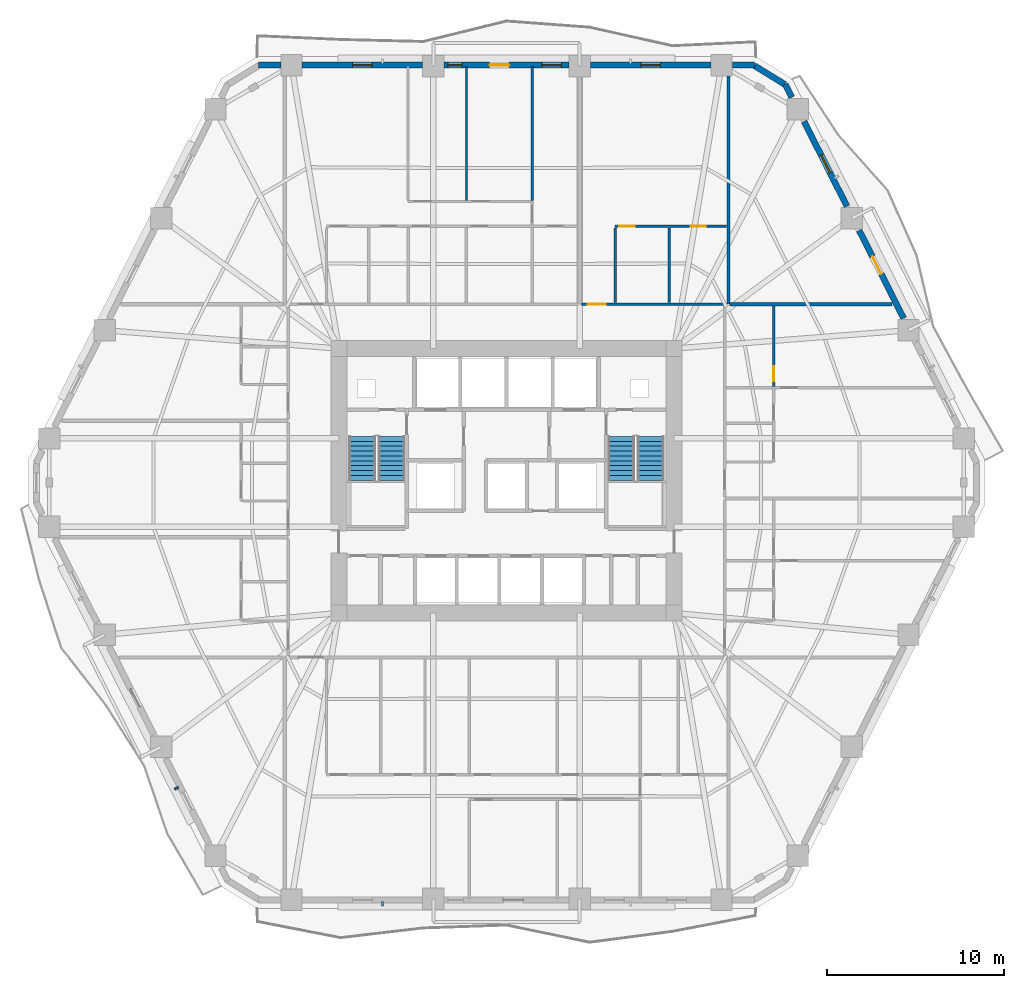
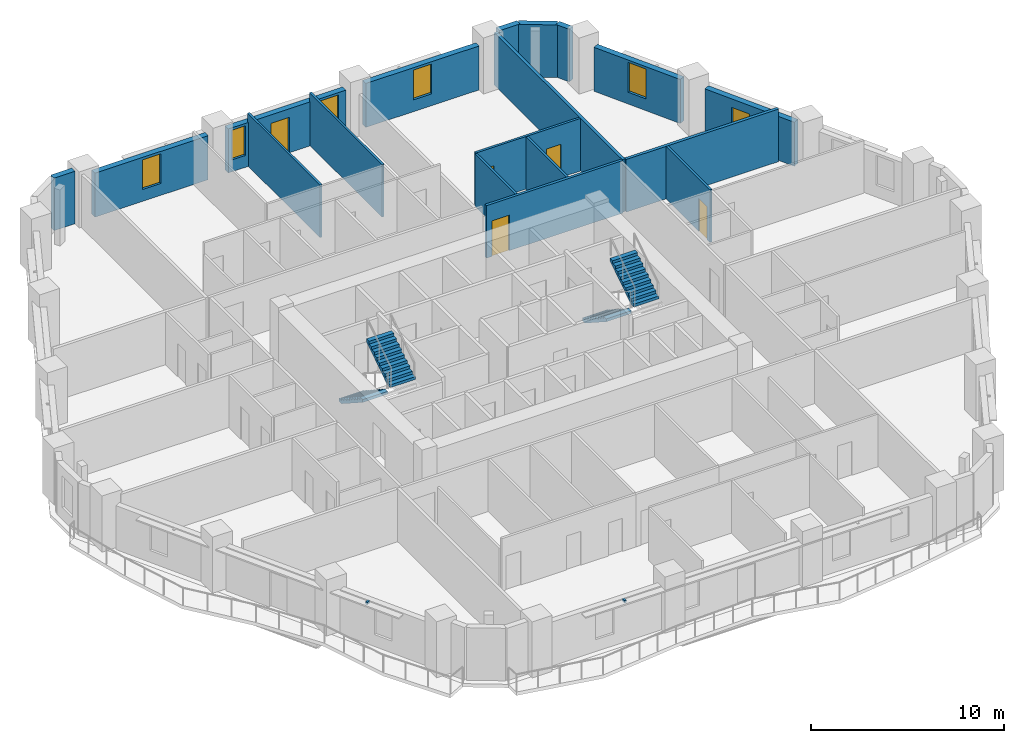
# One storey, part 8 of 14: 18 walls, 6 doors, 5 windows, 4 stair flights, 2 discrete accessories, 11 openings, 2 elements without a shape of their own.
"""IFC4 building model written with IfcOpenShell, lengths in metres."""

from ifc_helpers import new_model, si_unit, direction, frame, frame_2d, origin, origin_2d, place, context, subcontext, project, spatial, polyline, rectangle, outline, extrude, material, layer, layer_set, type_object, element, fill, aggregate, save


model = new_model("IFC4")

# Units and contexts
model_context = context("Model", 3, precision=1e-05, world=origin(), true_north=direction((0.0, 1.0)))
body_context = subcontext(model_context, "Body", "Model", "MODEL_VIEW")
ifc_project = project(units=[si_unit("LENGTHUNIT", "METRE"), si_unit("AREAUNIT", "SQUARE_METRE"), si_unit("VOLUMEUNIT", "CUBIC_METRE"), si_unit("PLANEANGLEUNIT", "RADIAN"), si_unit("MASSUNIT", "GRAM", prefix="KILO")], contexts=[model_context])

# Site, building, storey
site_placement = place(None, origin())
site = spatial("IfcSite", under=ifc_project, at=site_placement, CompositionType="ELEMENT")
building_placement = place(site_placement, origin())
building = spatial("IfcBuilding", under=site, at=building_placement, Name="Cinnabar Lancet Tower", CompositionType="ELEMENT")
storey_placement = place(building_placement, frame((0.0, 0.0, 67.5)))
storey = spatial("IfcBuildingStorey", under=building, at=storey_placement, Name="L17", CompositionType="ELEMENT", Elevation=67.5)

# Wall, opening, door
ifc_material_1 = material(Name="Acoustic twin-stud gypsum partition", Category="gypsum")
ifc_layer_1 = layer(ifc_material_1, 0.159912109375)
ifc_layer_set_1 = layer_set([ifc_layer_1], Name="Acoustic twin-stud gypsum partition")
wall_type_1 = type_object("IfcWallType", Name="ARC-WL-CORR-160", PredefinedType="PARTITIONING", material=ifc_layer_set_1)
wall_1_placement = place(storey_placement, frame((36.616943359375, 35.85009765625, 0.0), z_axis=(0.0, 0.0, 1.0), x_axis=(1.0, 0.0, 0.0)))
wall_1 = element("IfcWall", 1, at=wall_1_placement, inside=storey, type_object=wall_type_1, Name="L17 Unit N02 Corridor Wall", PredefinedType="PARTITIONING", context=body_context, shape_type="SweptSolid", body=[
    extrude(rectangle(XDim=8.18798828125, YDim=0.159912109375, at=frame_2d((4.093994140625, 0.0))), origin(), (0.0, 0.0, 1.0), 3.330078125),
])
opening_1_placement = place(wall_1_placement, frame((0.35498046875, 0.0, 0.0)))
opening_1 = element("IfcOpeningElement", 2, at=opening_1_placement, cuts=wall_1, Name="Opening UD-01", PredefinedType="OPENING", context=body_context, shape_type="SweptSolid", body=[
    extrude(rectangle(XDim=1.02001953125, YDim=2.25, at=frame_2d((0.510009765625, 1.125))), frame((0.0, 0.08984375, 0.0), z_axis=(0.0, -1.0, 0.0), x_axis=(1.0, 0.0, 0.0)), (0.0, 0.0, 1.0), 0.179931640625),
])
ifc_material_2 = material(Name="Solid timber fire-rated apartment entrance door", Category="wood")
door_type_1 = type_object("IfcDoorType", Name="ARC-DR-UNIT", OperationType="NOTDEFINED", PredefinedType="DOOR", material=ifc_material_2)
door_1_placement = place(opening_1_placement, origin())
door_1 = element("IfcDoor", 3, at=door_1_placement, inside=storey, type_object=door_type_1, Name="DR-L17-N02-ENT", OperationType="SINGLE_SWING_LEFT", OverallHeight=2.25, OverallWidth=1.02001953125, PredefinedType="DOOR", context=body_context, shape_type="SweptSolid", body=[
    extrude(rectangle(XDim=1.02001953125, YDim=2.25, at=frame_2d((0.510009765625, 1.125))), frame((0.0, 0.02490234375, 0.0), z_axis=(0.0, -1.0, 0.0), x_axis=(1.0, 0.0, 0.0)), (0.0, 0.0, 1.0), 0.050048828125),
])
fill(opening_1, door_1)

# Walls
ifc_material_3 = material(Name="Fire-rated twin-frame acoustic drywall", Category="gypsum")
ifc_layer_2 = layer(ifc_material_3, 0.179931640625)
ifc_layer_set_2 = layer_set([ifc_layer_2], Name="Fire-rated twin-frame acoustic drywall")
wall_type_2 = type_object("IfcWallType", Name="ARC-WL-PARTY-180", PredefinedType="PARTITIONING", material=ifc_layer_set_2)
wall_2_placement = place(storey_placement, frame((44.89990234375, 35.85009765625, 0.0), z_axis=(0.0, 0.0, 1.0), x_axis=(0.0, 1.0, 0.0)))
element("IfcWall", 4, at=wall_2_placement, inside=storey, type_object=wall_type_2, Name="PW-L17-NPTY-449", PredefinedType="PARTITIONING", context=body_context, shape_type="SweptSolid", body=[
    extrude(rectangle(XDim=13.294921875, YDim=0.179931640625, at=frame_2d((6.6474609375, 0.0))), origin(), (0.0, 0.0, 1.0), 3.330078125),
])
wall_3_placement = place(storey_placement, frame((44.9951171875, 35.85009765625, 0.0), z_axis=(0.0, 0.0, 1.0), x_axis=(1.0, 0.0, 0.0)))
element("IfcWall", 5, at=wall_3_placement, inside=storey, type_object=wall_type_2, Name="PW-L17-ENB", PredefinedType="PARTITIONING", context=body_context, shape_type="SweptSolid", body=[
    extrude(rectangle(XDim=9.139892578125, YDim=0.179931640625, at=frame_2d((4.56982421875, 0.0))), origin(), (0.0, 0.0, 1.0), 3.330078125),
])
ifc_material_4 = material(Name="Gypsum plasterboard stud partition", Category="gypsum")
ifc_layer_3 = layer(ifc_material_4, 0.125)
ifc_layer_set_3 = layer_set([ifc_layer_3], Name="Gypsum plasterboard stud partition")
wall_type_3 = type_object("IfcWallType", Name="ARC-WL-UNIT-125", PredefinedType="PARTITIONING", material=ifc_layer_set_3)
for number, where, z_axis, x_axis, name in (
    (6, (30.137939453125, 41.701904296875, 0.0), (0.0, 0.0, 1.0), (0.0, 1.0, 0.0), "UW-L17-N01-MB2W"),
    (7, (33.85009765625, 41.701904296875, 0.0), (0.0, 0.0, 1.0), (0.0, 1.0, 0.0), "UW-L17-N01-B23W"),
):
    element("IfcWall", number, at=place(storey_placement, frame(where, z_axis=z_axis, x_axis=x_axis)), inside=storey, type_object=wall_type_3, Name=name, PredefinedType="PARTITIONING", context=body_context, shape_type="SweptSolid", body=[
        extrude(rectangle(XDim=7.533203125, YDim=0.125, at=frame_2d((3.7666015625, 0.0))), origin(), (0.0, 0.0, 1.0), 3.330078125),
    ])
wall_4_placement = place(storey_placement, frame((38.52197265625, 35.93505859375, 0.0), z_axis=(0.0, 0.0, 1.0), x_axis=(0.0, 1.0, 0.0)))
element("IfcWall", 8, at=wall_4_placement, inside=storey, type_object=wall_type_3, Name="UW-L17-N02-FOYE", PredefinedType="PARTITIONING", context=body_context, shape_type="SweptSolid", body=[
    extrude(rectangle(XDim=4.197021484375, YDim=0.125, at=frame_2d((2.0986328125, 0.0))), origin(), (0.0, 0.0, 1.0), 3.330078125),
])

# Wall, openings, doors
ifc_material_5 = material(Name="Moisture-resistant cement-board plumbing wall", Category="masonry")
ifc_layer_4 = layer(ifc_material_5, 0.139892578125)
ifc_layer_set_4 = layer_set([ifc_layer_4], Name="Moisture-resistant cement-board plumbing wall")
wall_type_4 = type_object("IfcWallType", Name="ARC-WL-WET-140", PredefinedType="PLUMBINGWALL", material=ifc_layer_set_4)
wall_5_placement = place(storey_placement, frame((38.52197265625, 40.237060546875, 0.0), z_axis=(0.0, 0.0, 1.0), x_axis=(1.0, 0.0, 0.0)))
wall_5 = element("IfcWall", 9, at=wall_5_placement, inside=storey, type_object=wall_type_4, Name="UW-L17-N02-SPL", PredefinedType="PLUMBINGWALL", context=body_context, shape_type="SweptSolid", body=[
    extrude(rectangle(XDim=6.282958984375, YDim=0.139892578125, at=frame_2d((3.1416015625, 0.0))), origin(), (0.0, 0.0, 1.0), 3.330078125),
])
opening_2_placement = place(wall_5_placement, frame((4.2470703125, 0.0, 0.0)))
opening_2 = element("IfcOpeningElement", 10, at=opening_2_placement, cuts=wall_5, Name="Opening BD-01", PredefinedType="OPENING", context=body_context, shape_type="SweptSolid", body=[
    extrude(rectangle(XDim=0.860107421875, YDim=2.10009765625, at=frame_2d((0.43017578125, 1.050048828125))), frame((0.0, 0.079833984375, 0.0), z_axis=(0.0, -1.0, 0.0), x_axis=(1.0, 0.0, 0.0)), (0.0, 0.0, 1.0), 0.159912109375),
])
opening_3_placement = place(wall_5_placement, frame((0.219970703125, 0.0, 0.0)))
opening_3 = element("IfcOpeningElement", 11, at=opening_3_placement, cuts=wall_5, Name="Opening RD-02", PredefinedType="OPENING", context=body_context, shape_type="SweptSolid", body=[
    extrude(rectangle(XDim=0.8798828125, YDim=2.14990234375, at=frame_2d((0.43994140625, 1.074951171875))), frame((0.0, 0.079833984375, 0.0), z_axis=(0.0, -1.0, 0.0), x_axis=(1.0, 0.0, 0.0)), (0.0, 0.0, 1.0), 0.159912109375),
])
ifc_material_6 = material(Name="Moisture-resistant timber bathroom door", Category="wood")
door_type_2 = type_object("IfcDoorType", Name="ARC-DR-BATH", OperationType="NOTDEFINED", PredefinedType="DOOR", material=ifc_material_6)
door_2_placement = place(opening_2_placement, origin())
door_2 = element("IfcDoor", 12, at=door_2_placement, inside=storey, type_object=door_type_2, Name="DR-L17-N02-BTH", OperationType="SINGLE_SWING_LEFT", OverallHeight=2.10009765625, OverallWidth=0.860107421875, PredefinedType="DOOR", context=body_context, shape_type="SweptSolid", body=[
    extrude(rectangle(XDim=0.860107421875, YDim=2.10009765625, at=frame_2d((0.43017578125, 1.050048828125))), frame((0.0, 0.02490234375, 0.0), z_axis=(0.0, -1.0, 0.0), x_axis=(1.0, 0.0, 0.0)), (0.0, 0.0, 1.0), 0.050048828125),
])
fill(opening_2, door_2)
ifc_material_7 = material(Name="Engineered timber study door", Category="wood")
door_type_3 = type_object("IfcDoorType", Name="ARC-DR-STUDY", OperationType="NOTDEFINED", PredefinedType="DOOR", material=ifc_material_7)
door_3_placement = place(opening_3_placement, origin())
door_3 = element("IfcDoor", 13, at=door_3_placement, inside=storey, type_object=door_type_3, Name="DR-L17-N02-KIT", OperationType="SINGLE_SWING_RIGHT", OverallHeight=2.14990234375, OverallWidth=0.8798828125, PredefinedType="DOOR", context=body_context, shape_type="SweptSolid", body=[
    extrude(rectangle(XDim=0.8798828125, YDim=2.14990234375, at=frame_2d((0.43994140625, 1.074951171875))), frame((0.0, 0.02490234375, 0.0), z_axis=(0.0, -1.0, 0.0), x_axis=(1.0, 0.0, 0.0)), (0.0, 0.0, 1.0), 0.050048828125),
])
fill(opening_3, door_3)

# Wall
wall_6_placement = place(storey_placement, frame((41.5830078125, 35.93505859375, 0.0), z_axis=(0.0, 0.0, 1.0), x_axis=(0.0, 1.0, 0.0)))
element("IfcWall", 14, at=wall_6_placement, inside=storey, type_object=wall_type_4, Name="UW-L17-N02-KDV", PredefinedType="PLUMBINGWALL", context=body_context, shape_type="SweptSolid", body=[
    extrude(rectangle(XDim=4.197021484375, YDim=0.139892578125, at=frame_2d((2.0986328125, 0.0))), origin(), (0.0, 0.0, 1.0), 3.330078125),
])

# Wall, opening, door
wall_7_placement = place(storey_placement, frame((47.449951171875, 31.20703125, 0.0), z_axis=(0.0, 0.0, 1.0), x_axis=(0.0, 1.0, 0.0)))
wall_7 = element("IfcWall", 15, at=wall_7_placement, inside=storey, type_object=wall_type_4, Name="UW-L17-E02-SPM", PredefinedType="PLUMBINGWALL", context=body_context, shape_type="SweptSolid", body=[
    extrude(rectangle(XDim=4.5478515625, YDim=0.139892578125, at=frame_2d((2.27392578125, 0.0))), origin(), (0.0, 0.0, 1.0), 3.330078125),
])
opening_4_placement = place(wall_7_placement, frame((0.300048828125, 0.0, 0.0)))
opening_4 = element("IfcOpeningElement", 16, at=opening_4_placement, cuts=wall_7, Name="Opening BD-01", PredefinedType="OPENING", context=body_context, shape_type="SweptSolid", body=[
    extrude(rectangle(XDim=0.860107421875, YDim=2.10009765625, at=frame_2d((0.43017578125, 1.050048828125))), frame((0.0, 0.079833984375, 0.0), z_axis=(0.0, -1.0, 0.0), x_axis=(1.0, 0.0, 0.0)), (0.0, 0.0, 1.0), 0.159912109375),
])
door_4_placement = place(opening_4_placement, origin())
door_4 = element("IfcDoor", 17, at=door_4_placement, inside=storey, type_object=door_type_2, Name="DR-L17-E02-ENS", OperationType="SINGLE_SWING_LEFT", OverallHeight=2.10009765625, OverallWidth=0.860107421875, PredefinedType="DOOR", context=body_context, shape_type="SweptSolid", body=[
    extrude(rectangle(XDim=0.860107421875, YDim=2.10009765625, at=frame_2d((0.43017578125, 1.050048828125))), frame((0.0, 0.02490234375, 0.0), z_axis=(0.0, -1.0, 0.0), x_axis=(1.0, 0.0, 0.0)), (0.0, 0.0, 1.0), 0.050048828125),
])
fill(opening_4, door_4)

# Wall
ifc_material_8 = material(Name="Cinnabar red clay brick", Category="masonry")
ifc_layer_5 = layer(ifc_material_8, 0.340087890625)
ifc_layer_set_5 = layer_set([ifc_layer_5], Name="Cinnabar red clay brick")
wall_type_5 = type_object("IfcWallType", Name="ENV-WL-BRK-RED-340", PredefinedType="STANDARD", material=ifc_layer_set_5)
wall_8_placement = place(storey_placement, frame((48.080078125, 48.238037109375, 0.0), z_axis=(0.0, 0.0, 1.0), x_axis=(-0.851870104345, 0.523753114857, 0.0)))
element("IfcWall", 18, at=wall_8_placement, inside=storey, type_object=wall_type_5, Name="L17 Chamfered Corner Brick Pier 4.1", PredefinedType="STANDARD", context=body_context, shape_type="SweptSolid", body=[
    extrude(rectangle(XDim=2.017822265625, YDim=0.340087890625, at=frame_2d((1.0087890625, 0.0))), origin(), (0.0, 0.0, 1.0), 3.330078125),
])

# Wall, opening, door
wall_9_placement = place(storey_placement, frame((54.77587890625, 35.06103515625, 0.0), z_axis=(0.0, 0.0, 1.0), x_axis=(-0.451592100298, 0.892224509273, 0.0)))
wall_9 = element("IfcWall", 19, at=wall_9_placement, inside=storey, type_object=wall_type_5, Name="L17 Face 3 Masonry Bay Wall 3", PredefinedType="STANDARD", context=body_context, shape_type="SweptSolid", body=[
    extrude(rectangle(XDim=5.546875, YDim=0.340087890625, at=frame_2d((2.7734375, 0.0))), origin(), (0.0, 0.0, 1.0), 2.787109375),
])
opening_5_placement = place(wall_9_placement, frame((2.791015625, 0.0, 0.0)))
opening_5 = element("IfcOpeningElement", 20, at=opening_5_placement, cuts=wall_9, Name="Opening TD-01", PredefinedType="OPENING", context=body_context, shape_type="SweptSolid", body=[
    extrude(rectangle(XDim=1.10009765625, YDim=2.25, at=frame_2d((0.550048828125, 1.125))), frame((0.0, 0.179931640625, 0.0), z_axis=(0.0, -1.0, 0.0), x_axis=(1.0, 0.0, 0.0)), (0.0, 0.0, 1.0), 0.360107421875),
])
ifc_material_9 = material(Name="Thermally broken low-E glazed balcony terrace door", Category="wood")
door_type_4 = type_object("IfcDoorType", Name="ARC-DR-BALC", OperationType="NOTDEFINED", PredefinedType="DOOR", material=ifc_material_9)
door_5_placement = place(opening_5_placement, origin())
door_5 = element("IfcDoor", 21, at=door_5_placement, inside=storey, type_object=door_type_4, Name="L17 Face 3 Glazed Terrace Door", OperationType="SINGLE_SWING_LEFT", OverallHeight=2.25, OverallWidth=1.10009765625, PredefinedType="DOOR", context=body_context, shape_type="SweptSolid", body=[
    extrude(rectangle(XDim=1.10009765625, YDim=2.25, at=frame_2d((0.550048828125, 1.125))), frame((0.0, 0.02490234375, 0.0), z_axis=(0.0, -1.0, 0.0), x_axis=(1.0, 0.0, 0.0)), (0.0, 0.0, 1.0), 0.050048828125),
])
fill(opening_5, door_5)

# Wall, opening, window
wall_10_placement = place(storey_placement, frame((51.5830078125, 41.3720703125, 0.0), z_axis=(0.0, 0.0, 1.0), x_axis=(-0.451697561555, 0.892171123095, 0.0)))
wall_10 = element("IfcWall", 22, at=wall_10_placement, inside=storey, type_object=wall_type_5, Name="L17 Face 3 Masonry Bay Wall 4", PredefinedType="STANDARD", context=body_context, shape_type="SweptSolid", body=[
    extrude(rectangle(XDim=5.350830078125, YDim=0.340087890625, at=frame_2d((2.67529296875, 0.0))), origin(), (0.0, 0.0, 1.0), 2.787109375),
])
opening_6_placement = place(wall_10_placement, frame((2.125, 0.0, 0.75)))
opening_6 = element("IfcOpeningElement", 23, at=opening_6_placement, cuts=wall_10, Name="Opening WN-04", PredefinedType="OPENING", context=body_context, shape_type="SweptSolid", body=[
    extrude(rectangle(XDim=1.10009765625, YDim=1.886962890625, at=frame_2d((0.550048828125, 0.943359375))), frame((0.0, 0.179931640625, 0.0), z_axis=(0.0, -1.0, 0.0), x_axis=(1.0, 0.0, 0.0)), (0.0, 0.0, 1.0), 0.360107421875),
])
ifc_material_10 = material(Name="Thermally broken bronze-anodized aluminium tall lancet window", Category="aluminium")
window_type = type_object("IfcWindowType", Name="ENV-WN-LANCET-1100", PartitioningType="SINGLE_PANEL", PredefinedType="WINDOW", material=ifc_material_10)
window_1_placement = place(opening_6_placement, origin())
window_1 = element("IfcWindow", 24, at=window_1_placement, inside=storey, type_object=window_type, Name="L17 Face 3 Gothic Lancet Window 4", OverallHeight=1.886962890625, OverallWidth=1.10009765625, PartitioningType="SINGLE_PANEL", PredefinedType="WINDOW", context=body_context, shape_type="SweptSolid", body=[
    extrude(rectangle(XDim=1.10009765625, YDim=1.886962890625, at=frame_2d((0.550048828125, 0.943359375))), frame((0.0, 0.030029296875, 0.0), z_axis=(0.0, -1.0, 0.0), x_axis=(1.0, 0.0, 0.0)), (0.0, 0.0, 1.0), 0.06005859375),
])
fill(opening_6, window_1)

# Walls
wall_11_placement = place(storey_placement, frame((48.47802734375, 47.508056640625, 0.0), z_axis=(0.0, 0.0, 1.0), x_axis=(-0.451995771866, 0.892020079491, 0.0)))
element("IfcWall", 25, at=wall_11_placement, inside=storey, type_object=wall_type_5, Name="L17 Face 3 Masonry Bay Wall 5", PredefinedType="STANDARD", context=body_context, shape_type="SweptSolid", body=[
    extrude(rectangle(XDim=0.836181640625, YDim=0.340087890625, at=frame_2d((0.41796875, 0.0))), origin(), (0.0, 0.0, 1.0), 3.330078125),
])
wall_12_placement = place(storey_placement, frame((46.365966796875, 49.320068359375, 0.0), z_axis=(0.0, 0.0, 1.0), x_axis=(-1.0, 0.0, 0.0)))
element("IfcWall", 26, at=wall_12_placement, inside=storey, type_object=wall_type_5, Name="L17 Face 4 Masonry Bay Wall 1", PredefinedType="STANDARD", context=body_context, shape_type="SweptSolid", body=[
    extrude(rectangle(XDim=1.244873046875, YDim=0.340087890625, at=frame_2d((0.62255859375, 0.0))), origin(), (0.0, 0.0, 1.0), 3.330078125),
])

# Wall, opening, window
wall_13_placement = place(storey_placement, frame((43.9130859375, 49.320068359375, 0.0), z_axis=(0.0, 0.0, 1.0), x_axis=(-1.0, 0.0, 0.0)))
wall_13 = element("IfcWall", 27, at=wall_13_placement, inside=storey, type_object=wall_type_5, Name="L17 Face 4 Masonry Bay Wall 2", PredefinedType="STANDARD", context=body_context, shape_type="SweptSolid", body=[
    extrude(rectangle(XDim=6.787109375, YDim=0.340087890625, at=frame_2d((3.3935546875, 0.0))), origin(), (0.0, 0.0, 1.0), 2.787109375),
])
opening_7_placement = place(wall_13_placement, frame((2.843017578125, 0.0, 0.75)))
opening_7 = element("IfcOpeningElement", 28, at=opening_7_placement, cuts=wall_13, Name="Opening WN-04", PredefinedType="OPENING", context=body_context, shape_type="SweptSolid", body=[
    extrude(rectangle(XDim=1.10009765625, YDim=1.886962890625, at=frame_2d((0.550048828125, 0.943359375))), frame((0.0, 0.179931640625, 0.0), z_axis=(0.0, -1.0, 0.0), x_axis=(1.0, 0.0, 0.0)), (0.0, 0.0, 1.0), 0.360107421875),
])
window_2_placement = place(opening_7_placement, origin())
window_2 = element("IfcWindow", 29, at=window_2_placement, inside=storey, type_object=window_type, Name="L17 Face 4 Gothic Lancet Window 2", OverallHeight=1.886962890625, OverallWidth=1.10009765625, PartitioningType="SINGLE_PANEL", PredefinedType="WINDOW", context=body_context, shape_type="SweptSolid", body=[
    extrude(rectangle(XDim=1.10009765625, YDim=1.886962890625, at=frame_2d((0.550048828125, 0.943359375))), frame((0.0, 0.030029296875, 0.0), z_axis=(0.0, -1.0, 0.0), x_axis=(1.0, 0.0, 0.0)), (0.0, 0.0, 1.0), 0.06005859375),
])
fill(opening_7, window_2)

# Wall, openings, door, windows
wall_14_placement = place(storey_placement, frame((35.91796875, 49.320068359375, 0.0), z_axis=(0.0, 0.0, 1.0), x_axis=(-1.0, 0.0, 0.0)))
wall_14 = element("IfcWall", 30, at=wall_14_placement, inside=storey, type_object=wall_type_5, Name="L17 Face 4 Masonry Bay Wall 3", PredefinedType="STANDARD", context=body_context, shape_type="SweptSolid", body=[
    extrude(rectangle(XDim=7.035888671875, YDim=0.340087890625, at=frame_2d((3.51806640625, 0.0))), origin(), (0.0, 0.0, 1.0), 2.787109375),
])
opening_8_placement = place(wall_14_placement, frame((3.3740234375, 0.0, 0.0)))
opening_8 = element("IfcOpeningElement", 31, at=opening_8_placement, cuts=wall_14, Name="Opening TD-01", PredefinedType="OPENING", context=body_context, shape_type="SweptSolid", body=[
    extrude(rectangle(XDim=1.10009765625, YDim=2.25, at=frame_2d((0.550048828125, 1.125))), frame((0.0, 0.179931640625, 0.0), z_axis=(0.0, -1.0, 0.0), x_axis=(1.0, 0.0, 0.0)), (0.0, 0.0, 1.0), 0.360107421875),
])
opening_9_placement = place(wall_14_placement, frame((0.427978515625, 0.0, 0.75)))
opening_9 = element("IfcOpeningElement", 32, at=opening_9_placement, cuts=wall_14, Name="Opening WN-04", PredefinedType="OPENING", context=body_context, shape_type="SweptSolid", body=[
    extrude(rectangle(XDim=1.10009765625, YDim=1.886962890625, at=frame_2d((0.550048828125, 0.943359375))), frame((0.0, 0.179931640625, 0.0), z_axis=(0.0, -1.0, 0.0), x_axis=(1.0, 0.0, 0.0)), (0.0, 0.0, 1.0), 0.360107421875),
])
opening_10_placement = place(wall_14_placement, frame((6.012939453125, 0.0, 0.75)))
opening_10 = element("IfcOpeningElement", 33, at=opening_10_placement, cuts=wall_14, Name="Opening WN-04", PredefinedType="OPENING", context=body_context, shape_type="SweptSolid", body=[
    extrude(rectangle(XDim=0.81298828125, YDim=1.886962890625, at=frame_2d((0.406494140625, 0.943359375))), frame((0.0, 0.179931640625, 0.0), z_axis=(0.0, -1.0, 0.0), x_axis=(1.0, 0.0, 0.0)), (0.0, 0.0, 1.0), 0.360107421875),
])
door_6_placement = place(opening_8_placement, origin())
door_6 = element("IfcDoor", 34, at=door_6_placement, inside=storey, type_object=door_type_4, Name="L17 Face 4 Glazed Terrace Door", OperationType="SINGLE_SWING_RIGHT", OverallHeight=2.25, OverallWidth=1.10009765625, PredefinedType="DOOR", context=body_context, shape_type="SweptSolid", body=[
    extrude(rectangle(XDim=1.10009765625, YDim=2.25, at=frame_2d((0.550048828125, 1.125))), frame((0.0, 0.02490234375, 0.0), z_axis=(0.0, -1.0, 0.0), x_axis=(1.0, 0.0, 0.0)), (0.0, 0.0, 1.0), 0.050048828125),
])
fill(opening_8, door_6)
window_3_placement = place(opening_9_placement, origin())
window_3 = element("IfcWindow", 35, at=window_3_placement, inside=storey, type_object=window_type, Name="L17 Split-Bay Gothic Lancet Window 44", OverallHeight=1.886962890625, OverallWidth=1.10009765625, PartitioningType="SINGLE_PANEL", PredefinedType="WINDOW", context=body_context, shape_type="SweptSolid", body=[
    extrude(rectangle(XDim=1.10009765625, YDim=1.886962890625, at=frame_2d((0.550048828125, 0.943359375))), frame((0.0, 0.030029296875, 0.0), z_axis=(0.0, -1.0, 0.0), x_axis=(1.0, 0.0, 0.0)), (0.0, 0.0, 1.0), 0.06005859375),
])
fill(opening_9, window_3)
window_4_placement = place(opening_10_placement, origin())
window_4 = element("IfcWindow", 36, at=window_4_placement, inside=storey, type_object=window_type, Name="L17 Dwelling Gothic Lancet Window 308", OverallHeight=1.886962890625, OverallWidth=0.81298828125, PartitioningType="SINGLE_PANEL", PredefinedType="WINDOW", context=body_context, shape_type="SweptSolid", body=[
    extrude(rectangle(XDim=0.81298828125, YDim=1.886962890625, at=frame_2d((0.406494140625, 0.943359375))), frame((0.0, 0.030029296875, 0.0), z_axis=(0.0, -1.0, 0.0), x_axis=(1.0, 0.0, 0.0)), (0.0, 0.0, 1.0), 0.06005859375),
])
fill(opening_10, window_4)

# Wall, opening, window
wall_15_placement = place(storey_placement, frame((27.674072265625, 49.320068359375, 0.0), z_axis=(0.0, 0.0, 1.0), x_axis=(-1.0, 0.0, 0.0)))
wall_15 = element("IfcWall", 37, at=wall_15_placement, inside=storey, type_object=wall_type_5, Name="L17 Face 4 Masonry Bay Wall 4", PredefinedType="STANDARD", context=body_context, shape_type="SweptSolid", body=[
    extrude(rectangle(XDim=6.787109375, YDim=0.340087890625, at=frame_2d((3.3935546875, 0.0))), origin(), (0.0, 0.0, 1.0), 2.787109375),
])
opening_11_placement = place(wall_15_placement, frame((2.843017578125, 0.0, 0.75)))
opening_11 = element("IfcOpeningElement", 38, at=opening_11_placement, cuts=wall_15, Name="Opening WN-04", PredefinedType="OPENING", context=body_context, shape_type="SweptSolid", body=[
    extrude(rectangle(XDim=1.10009765625, YDim=1.886962890625, at=frame_2d((0.550048828125, 0.943359375))), frame((0.0, 0.179931640625, 0.0), z_axis=(0.0, -1.0, 0.0), x_axis=(1.0, 0.0, 0.0)), (0.0, 0.0, 1.0), 0.360107421875),
])
window_5_placement = place(opening_11_placement, origin())
window_5 = element("IfcWindow", 39, at=window_5_placement, inside=storey, type_object=window_type, Name="L17 Face 4 Gothic Lancet Window 4", OverallHeight=1.886962890625, OverallWidth=1.10009765625, PartitioningType="SINGLE_PANEL", PredefinedType="WINDOW", context=body_context, shape_type="SweptSolid", body=[
    extrude(rectangle(XDim=1.10009765625, YDim=1.886962890625, at=frame_2d((0.550048828125, 0.943359375))), frame((0.0, 0.030029296875, 0.0), z_axis=(0.0, -1.0, 0.0), x_axis=(1.0, 0.0, 0.0)), (0.0, 0.0, 1.0), 0.06005859375),
])
fill(opening_11, window_5)

# Wall
wall_16_placement = place(storey_placement, frame((19.678955078125, 49.320068359375, 0.0), z_axis=(0.0, 0.0, 1.0), x_axis=(-1.0, 0.0, 0.0)))
element("IfcWall", 40, at=wall_16_placement, inside=storey, type_object=wall_type_5, Name="L17 Face 4 Masonry Bay Wall 5", PredefinedType="STANDARD", context=body_context, shape_type="SweptSolid", body=[
    extrude(rectangle(XDim=1.244873046875, YDim=0.340087890625, at=frame_2d((0.62255859375, 0.0))), origin(), (0.0, 0.0, 1.0), 3.330078125),
])

# Stair, stair flights
ifc_material_11 = material(Name="Concrete C40/50", Category="concrete")
stair_type = type_object("IfcStairType", Name="ST-CORE", PredefinedType="HALF_TURN_STAIR", material=ifc_material_11)
stair_1_placement = place(storey_placement, origin())
stair_1 = element("IfcStair", 41, at=stair_1_placement, inside=storey, type_object=stair_type, Name="L17 ST-1", PredefinedType="HALF_TURN_STAIR")
ifc_material_12 = material(Name="Concrete C40/50", Category="concrete")
stair_flight_type = type_object("IfcStairFlightType", Name="FLIGHT-CORE", PredefinedType="STRAIGHT", material=ifc_material_12)
stair_flight_1_placement = place(storey_placement, frame((24.27490234375, 28.39990234375, 0.0), z_axis=(0.0, 0.0, 1.0), x_axis=(0.0, -1.0, 0.0)))
stair_flight_1 = element("IfcStairFlight", 42, at=stair_flight_1_placement, type_object=stair_flight_type, Name="ST-1 flight 1", NumberOfRisers=10, NumberOfTreads=9, PredefinedType="STRAIGHT", RiserHeight=0.1775, TreadLength=0.275, context=body_context, shape_type="SweptSolid", body=[
    extrude(outline(polyline([(0.0, 0.0), (0.0, 0.177490234375), (0.27490234375, 0.177490234375), (0.27490234375, 0.35498046875), (0.550048828125, 0.35498046875), (0.550048828125, 0.532470703125), (0.824951171875, 0.532470703125), (0.824951171875, 0.7099609375), (1.10009765625, 0.7099609375), (1.10009765625, 0.887451171875), (1.375, 0.887451171875), (1.375, 1.06494140625), (1.64990234375, 1.06494140625), (1.64990234375, 1.242431640625), (1.925048828125, 1.242431640625), (1.925048828125, 1.419921875), (2.199951171875, 1.419921875), (2.199951171875, 1.597412109375), (2.47509765625, 1.597412109375), (2.47509765625, 1.77490234375), (2.47509765625, 1.419189453125), (0.2763671875, 0.0), (0.0, 0.0)])), frame((0.0, 0.75, 0.0), z_axis=(0.0, -1.0, 0.0), x_axis=(1.0, 0.0, 0.0)), (0.0, 0.0, 1.0), 1.5),
])
stair_flight_2_placement = place(storey_placement, frame((25.925048828125, 25.925048828125, 1.77490234375), z_axis=(0.0, 0.0, 1.0), x_axis=(0.0, 1.0, 0.0)))
stair_flight_2 = element("IfcStairFlight", 43, at=stair_flight_2_placement, type_object=stair_flight_type, Name="ST-1 flight 2", NumberOfRisers=10, NumberOfTreads=9, PredefinedType="STRAIGHT", RiserHeight=0.1775, TreadLength=0.275, context=body_context, shape_type="SweptSolid", body=[
    extrude(outline(polyline([(0.0, 0.0), (0.0, 0.177490234375), (0.27490234375, 0.177490234375), (0.27490234375, 0.35498046875), (0.550048828125, 0.35498046875), (0.550048828125, 0.532470703125), (0.824951171875, 0.532470703125), (0.824951171875, 0.7099609375), (1.10009765625, 0.7099609375), (1.10009765625, 0.887451171875), (1.375, 0.887451171875), (1.375, 1.06494140625), (1.64990234375, 1.06494140625), (1.64990234375, 1.242431640625), (1.925048828125, 1.242431640625), (1.925048828125, 1.419921875), (2.199951171875, 1.419921875), (2.199951171875, 1.597412109375), (2.47509765625, 1.597412109375), (2.47509765625, 1.77490234375), (2.47509765625, 1.419189453125), (0.2763671875, 0.0), (0.0, 0.0)])), frame((0.0, 0.75, 0.0), z_axis=(0.0, -1.0, 0.0), x_axis=(1.0, 0.0, 0.0)), (0.0, 0.0, 1.0), 1.5),
])
aggregate(stair_1, [stair_flight_1, stair_flight_2])

stair_2_placement = place(storey_placement, origin())
stair_2 = element("IfcStair", 44, at=stair_2_placement, inside=storey, type_object=stair_type, Name="L17 ST-2", PredefinedType="HALF_TURN_STAIR")
stair_flight_3_placement = place(storey_placement, frame((38.875, 28.39990234375, 0.0), z_axis=(0.0, 0.0, 1.0), x_axis=(0.0, -1.0, 0.0)))
stair_flight_3 = element("IfcStairFlight", 45, at=stair_flight_3_placement, type_object=stair_flight_type, Name="ST-2 flight 1", NumberOfRisers=10, NumberOfTreads=9, PredefinedType="STRAIGHT", RiserHeight=0.1775, TreadLength=0.275, context=body_context, shape_type="SweptSolid", body=[
    extrude(outline(polyline([(0.0, 0.0), (0.0, 0.177490234375), (0.27490234375, 0.177490234375), (0.27490234375, 0.35498046875), (0.550048828125, 0.35498046875), (0.550048828125, 0.532470703125), (0.824951171875, 0.532470703125), (0.824951171875, 0.7099609375), (1.10009765625, 0.7099609375), (1.10009765625, 0.887451171875), (1.375, 0.887451171875), (1.375, 1.06494140625), (1.64990234375, 1.06494140625), (1.64990234375, 1.242431640625), (1.925048828125, 1.242431640625), (1.925048828125, 1.419921875), (2.199951171875, 1.419921875), (2.199951171875, 1.597412109375), (2.47509765625, 1.597412109375), (2.47509765625, 1.77490234375), (2.47509765625, 1.419189453125), (0.2763671875, 0.0), (0.0, 0.0)])), frame((0.0, 0.75, 0.0), z_axis=(0.0, -1.0, 0.0), x_axis=(1.0, 0.0, 0.0)), (0.0, 0.0, 1.0), 1.5),
])
stair_flight_4_placement = place(storey_placement, frame((40.52490234375, 25.925048828125, 1.77490234375), z_axis=(0.0, 0.0, 1.0), x_axis=(0.0, 1.0, 0.0)))
stair_flight_4 = element("IfcStairFlight", 46, at=stair_flight_4_placement, type_object=stair_flight_type, Name="ST-2 flight 2", NumberOfRisers=10, NumberOfTreads=9, PredefinedType="STRAIGHT", RiserHeight=0.1775, TreadLength=0.275, context=body_context, shape_type="SweptSolid", body=[
    extrude(outline(polyline([(0.0, 0.0), (0.0, 0.177490234375), (0.27490234375, 0.177490234375), (0.27490234375, 0.35498046875), (0.550048828125, 0.35498046875), (0.550048828125, 0.532470703125), (0.824951171875, 0.532470703125), (0.824951171875, 0.7099609375), (1.10009765625, 0.7099609375), (1.10009765625, 0.887451171875), (1.375, 0.887451171875), (1.375, 1.06494140625), (1.64990234375, 1.06494140625), (1.64990234375, 1.242431640625), (1.925048828125, 1.242431640625), (1.925048828125, 1.419921875), (2.199951171875, 1.419921875), (2.199951171875, 1.597412109375), (2.47509765625, 1.597412109375), (2.47509765625, 1.77490234375), (2.47509765625, 1.419189453125), (0.2763671875, 0.0), (0.0, 0.0)])), frame((0.0, 0.75, 0.0), z_axis=(0.0, -1.0, 0.0), x_axis=(1.0, 0.0, 0.0)), (0.0, 0.0, 1.0), 1.5),
])
aggregate(stair_2, [stair_flight_3, stair_flight_4])

# Discrete accessories
ifc_material_13 = material(Name="Stainless steel 316 facade fixing bracket", Category="steel")
discrete_accessory_type = type_object("IfcDiscreteAccessoryType", Name="ENV-ACC-BRK-180", PredefinedType="BRACKET", material=ifc_material_13)
for number, where, z_axis, x_axis, name in (
    (47, (25.4169921875, 2.06005859375, 2.60009765625), (0.0, 0.0, 1.0), (1.0, 0.0, 0.0), "L17 Face 1 Sunshade Bracket A"),
    (48, (13.805908203125, 8.5791015625, 2.60009765625), (0.0, 0.0, 1.0), (0.451500573218, -0.892270829056, 0.0), "L17 Face 6 Sunshade Bracket B"),
):
    element("IfcDiscreteAccessory", number, at=place(storey_placement, frame(where, z_axis=z_axis, x_axis=x_axis)), inside=storey, type_object=discrete_accessory_type, Name=name, PredefinedType="BRACKET", context=body_context, shape_type="SweptSolid", body=[
        extrude(rectangle(XDim=0.1201171875, YDim=0.239990234375, at=origin_2d()), origin(), (0.0, 0.0, 1.0), 0.159912109375),
    ])

save(model, "model.ifc")
